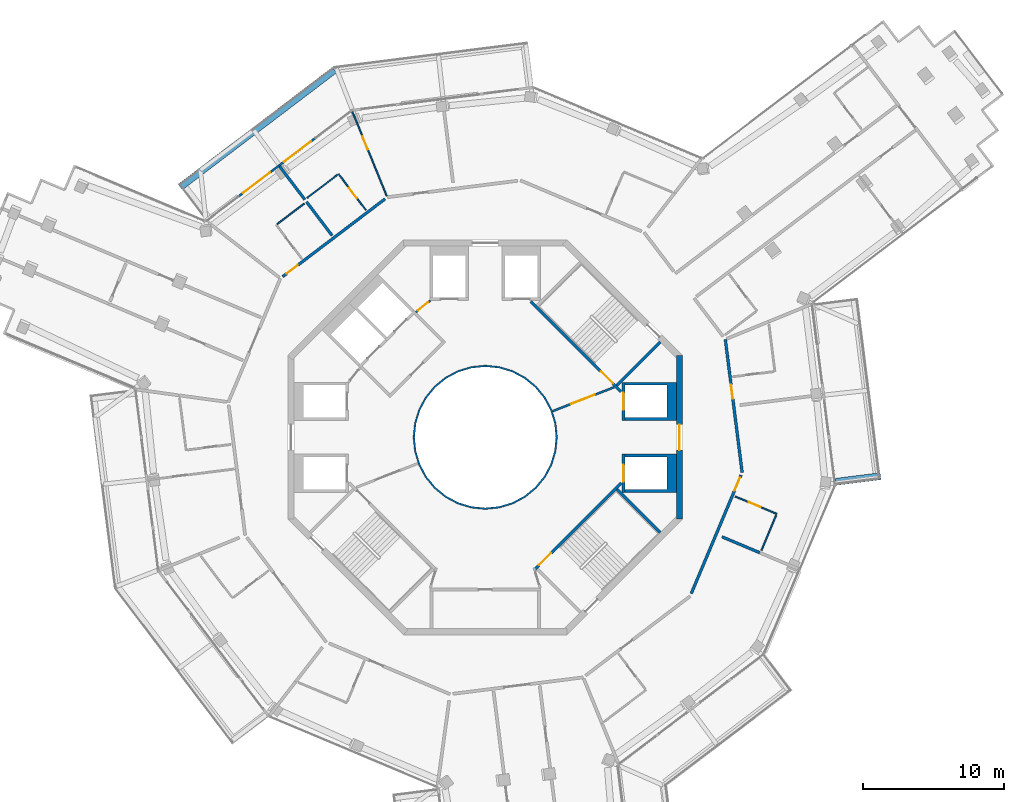
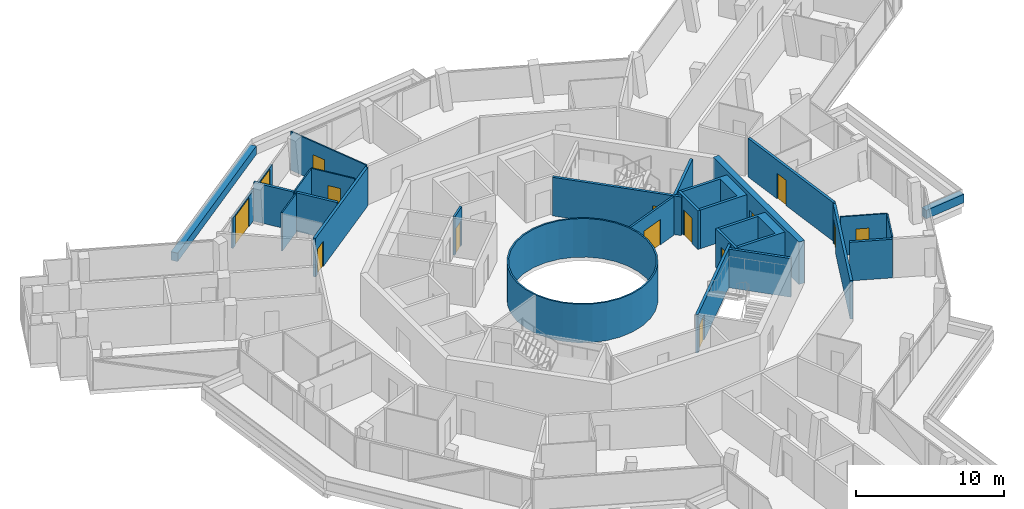
# One storey, part 21 of 26: 28 walls, 15 doors, 15 openings.
"""IFC4 building model written with IfcOpenShell, lengths in metres."""

from ifc_helpers import new_model, si_unit, direction, frame, frame_2d, origin, place, context, subcontext, project, spatial, polyline, rectangle, outline, extrude, material, layer, layer_set, type_object, element, fill, save


model = new_model("IFC4")

# Units and contexts
model_context = context("Model", 3, precision=1e-05, world=origin(), true_north=direction((0.0, 1.0)))
body_context = subcontext(model_context, "Body", "Model", "MODEL_VIEW")
ifc_project = project(units=[si_unit("LENGTHUNIT", "METRE"), si_unit("AREAUNIT", "SQUARE_METRE"), si_unit("VOLUMEUNIT", "CUBIC_METRE"), si_unit("PLANEANGLEUNIT", "RADIAN"), si_unit("MASSUNIT", "GRAM", prefix="KILO")], contexts=[model_context])

# Site, building, storey
site_placement = place(None, origin())
site = spatial("IfcSite", under=ifc_project, at=site_placement, CompositionType="ELEMENT")
building_placement = place(site_placement, origin())
building = spatial("IfcBuilding", under=site, at=building_placement, Name="Verdalira Terraces Hotel", CompositionType="ELEMENT")
storey_placement = place(building_placement, frame((0.0, 0.0, 306.5)))
storey = spatial("IfcBuildingStorey", under=building, at=storey_placement, Name="L76", CompositionType="ELEMENT", Elevation=306.5)

# Walls
ifc_material_1 = material(Name="Fire-resisting glass EI 180", Category="glass")
ifc_layer_1 = layer(ifc_material_1, 0.1201171875)
ifc_layer_set_1 = layer_set([ifc_layer_1], Name="Atrium fire screen 120 mm")
wall_type_1 = type_object("IfcWallType", Name="Atrium fire screen 120 mm", PredefinedType="SOLIDWALL", material=ifc_layer_set_1)
wall_1_placement = place(storey_placement, origin())
element("IfcWall", 1, at=wall_1_placement, inside=storey, type_object=wall_type_1, Name="Atrium fire screen", PredefinedType="SOLIDWALL", context=body_context, shape_type="SweptSolid", body=[
    extrude(outline(polyline([(5.021484, -0.998779), (4.730225, -1.959229), (4.25708, -2.844482), (3.620361, -3.620361), (2.844482, -4.25708), (1.959229, -4.730225), (0.998779, -5.021484), (0.0, -5.120117), (-0.998779, -5.021484), (-1.959229, -4.730225), (-2.844482, -4.25708), (-3.620361, -3.620361), (-4.25708, -2.844482), (-4.730225, -1.959229), (-5.021484, -0.998779), (-5.120117, 0.0), (-5.021484, 0.998779), (-4.730225, 1.959229), (-4.25708, 2.844482), (-3.620361, 3.620361), (-2.844482, 4.25708), (-1.959229, 4.730225), (-0.998779, 5.021484), (0.0, 5.120117), (0.998779, 5.021484), (1.959229, 4.730225), (2.844482, 4.25708), (3.620361, 3.620361), (4.25708, 2.844482), (4.730225, 1.959229), (5.021484, 0.998779), (5.120117, 0.0), (5.021484, -0.998779)]), holes=[polyline([(4.903809, 0.975586), (4.619385, 1.91333), (4.157227, 2.777832), (3.5354, 3.5354), (2.777832, 4.157227), (1.91333, 4.619385), (0.975586, 4.903809), (0.0, 5.0), (-0.975586, 4.903809), (-1.91333, 4.619385), (-2.777832, 4.157227), (-3.5354, 3.5354), (-4.157227, 2.777832), (-4.619385, 1.91333), (-4.903809, 0.975586), (-5.0, 0.0), (-4.903809, -0.975586), (-4.619385, -1.91333), (-4.157227, -2.777832), (-3.5354, -3.5354), (-2.777832, -4.157227), (-1.91333, -4.619385), (-0.975586, -4.903809), (0.0, -5.0), (0.975586, -4.903809), (1.91333, -4.619385), (2.777832, -4.157227), (3.5354, -3.5354), (4.157227, -2.777832), (4.619385, -1.91333), (4.903809, -0.975586), (5.0, 0.0), (4.903809, 0.975586)])]), origin(), (0.0, 0.0, 1.0), 3.189941),
])
ifc_material_2 = material(Name="Concrete C40", Category="concrete")
ifc_layer_2 = layer(ifc_material_2, 0.5)
ifc_layer_set_2 = layer_set([ifc_layer_2], Name="Balcony planter trough with tree")
wall_type_2 = type_object("IfcWallType", Name="Balcony planter trough with tree", PredefinedType="SOLIDWALL", material=ifc_layer_set_2)
wall_2_placement = place(storey_placement, frame((24.851318, -3.160156, 0.0), z_axis=(0.0, 0.0, 1.0), x_axis=(0.992117376, 0.125312056, 0.0)))
element("IfcWall", 2, at=wall_2_placement, inside=storey, type_object=wall_type_2, Name="Balcony planter", PredefinedType="SOLIDWALL", context=body_context, shape_type="SweptSolid", body=[
    extrude(rectangle(XDim=3.198975, YDim=0.5, at=frame_2d((1.599609, 0.0))), origin(), (0.0, 0.0, 1.0), 0.699951),
])
wall_3_placement = place(storey_placement, frame((-10.696533, 26.039551, 0.0), z_axis=(0.0, 0.0, 1.0), x_axis=(-0.796532623, -0.604595551, 0.0)))
element("IfcWall", 3, at=wall_3_placement, inside=storey, type_object=wall_type_2, Name="Balcony planter", PredefinedType="SOLIDWALL", context=body_context, shape_type="SweptSolid", body=[
    extrude(rectangle(XDim=13.723389, YDim=0.5, at=frame_2d((6.861816, 0.0))), origin(), (0.0, 0.0, 1.0), 0.699951),
])
ifc_material_3 = material(Name="Moisture-resistant gypsum board partition")
ifc_layer_3 = layer(ifc_material_3, 0.10009765625)
ifc_layer_set_3 = layer_set([ifc_layer_3], Name="Bathroom partition 100 mm")
wall_type_3 = type_object("IfcWallType", Name="Bathroom partition 100 mm", PredefinedType="PARTITIONING", material=ifc_layer_set_3)
wall_4_placement = place(storey_placement, frame((-14.742432, 15.12207, 0.0), z_axis=(0.0, 0.0, 1.0), x_axis=(0.796544296, 0.604580172, 0.0)))
element("IfcWall", 4, at=wall_4_placement, inside=storey, type_object=wall_type_3, Name="Bathroom partition", PredefinedType="PARTITIONING", context=body_context, shape_type="SweptSolid", body=[
    extrude(rectangle(XDim=2.399902, YDim=0.100098, at=frame_2d((1.199951, 0.0))), origin(), (0.0, 0.0, 1.0), 3.189941),
])
wall_5_placement = place(storey_placement, frame((-10.482422, 18.606689, 0.0), z_axis=(0.0, 0.0, 1.0), x_axis=(-0.79650357, -0.604633826, 0.0)))
element("IfcWall", 5, at=wall_5_placement, inside=storey, type_object=wall_type_3, Name="Bathroom partition", PredefinedType="PARTITIONING", context=body_context, shape_type="SweptSolid", body=[
    extrude(rectangle(XDim=2.700195, YDim=0.100098, at=frame_2d((1.350098, 0.0))), origin(), (0.0, 0.0, 1.0), 3.189941),
])

# Wall, opening, door
wall_6_placement = place(storey_placement, frame((-8.468018, 16.118164, 0.0), z_axis=(0.0, 0.0, 1.0), x_axis=(-0.604580172, 0.796544296, 0.0)))
wall_6 = element("IfcWall", 6, at=wall_6_placement, inside=storey, type_object=wall_type_3, Name="Bathroom partition", PredefinedType="PARTITIONING", context=body_context, shape_type="SweptSolid", body=[
    extrude(rectangle(XDim=3.199951, YDim=0.100098, at=frame_2d((1.600098, 0.0))), origin(), (0.0, 0.0, 1.0), 3.189941),
])
opening_1_placement = place(wall_6_placement, frame((1.050049, 0.0, 0.0)))
opening_1 = element("IfcOpeningElement", 7, at=opening_1_placement, cuts=wall_6, Name="Opening L76-131", PredefinedType="OPENING", context=body_context, shape_type="SweptSolid", body=[
    extrude(rectangle(XDim=0.899902, YDim=2.100098, at=frame_2d((0.449951, 1.050049))), frame((0.0, 0.060059, 0.0), z_axis=(0.0, -1.0, 0.0), x_axis=(1.0, 0.0, 0.0)), (0.0, 0.0, 1.0), 0.120117),
])
ifc_material_4 = material(Name="Timber door", Category="wood")
door_type_1 = type_object("IfcDoorType", Name="Bathroom door 900 x 2100", OperationType="NOTDEFINED", PredefinedType="DOOR", material=ifc_material_4)
door_1_placement = place(opening_1_placement, origin())
door_1 = element("IfcDoor", 8, at=door_1_placement, inside=storey, type_object=door_type_1, Name="Bathroom door 7612", OperationType="SINGLE_SWING_RIGHT", OverallHeight=2.10009765625, OverallWidth=0.89990234375, PredefinedType="DOOR", context=body_context, shape_type="SweptSolid", body=[
    extrude(rectangle(XDim=0.899902, YDim=2.100098, at=frame_2d((0.449951, 1.050049))), frame((0.0, 0.024902, 0.0), z_axis=(0.0, -1.0, 0.0), x_axis=(1.0, 0.0, 0.0)), (0.0, 0.0, 1.0), 0.050049),
])
fill(opening_1, door_1)

wall_7_placement = place(storey_placement, frame((-6.985596, 17.11792, 0.0), z_axis=(0.0, 0.0, 1.0), x_axis=(-0.377842915, 0.925869716, 0.0)))
wall_7 = element("IfcWall", 9, at=wall_7_placement, inside=storey, type_object=wall_type_3, Name="Bathroom partition", PredefinedType="PARTITIONING", context=body_context, shape_type="SweptSolid", body=[
    extrude(rectangle(XDim=6.475586, YDim=0.100098, at=frame_2d((3.237793, 0.0))), origin(), (0.0, 0.0, 1.0), 3.189941),
])
opening_2_placement = place(wall_7_placement, frame((3.550049, 0.0, 0.0)))
opening_2 = element("IfcOpeningElement", 10, at=opening_2_placement, cuts=wall_7, Name="Opening L76-130", PredefinedType="OPENING", context=body_context, shape_type="SweptSolid", body=[
    extrude(rectangle(XDim=1.0, YDim=2.100098, at=frame_2d((0.5, 1.050049))), frame((0.0, 0.060059, 0.0), z_axis=(0.0, -1.0, 0.0), x_axis=(1.0, 0.0, 0.0)), (0.0, 0.0, 1.0), 0.120117),
])
ifc_material_5 = material(Name="Timber door", Category="wood")
door_type_2 = type_object("IfcDoorType", Name="Suite internal door 1000 x 2100", OperationType="NOTDEFINED", PredefinedType="DOOR", material=ifc_material_5)
door_2_placement = place(opening_2_placement, origin())
door_2 = element("IfcDoor", 11, at=door_2_placement, inside=storey, type_object=door_type_2, Name="Suite internal door 7612", OperationType="SINGLE_SWING_LEFT", OverallHeight=2.10009765625, OverallWidth=1.0, PredefinedType="DOOR", context=body_context, shape_type="SweptSolid", body=[
    extrude(rectangle(XDim=1.0, YDim=2.100098, at=frame_2d((0.5, 1.050049))), frame((0.0, 0.024902, 0.0), z_axis=(0.0, -1.0, 0.0), x_axis=(1.0, 0.0, 0.0)), (0.0, 0.0, 1.0), 0.050049),
])
fill(opening_2, door_2)

wall_8_placement = place(storey_placement, frame((20.66748, -5.433594, 0.0), z_axis=(0.0, 0.0, 1.0), x_axis=(-0.92185784, 0.387528221, 0.0)))
wall_8 = element("IfcWall", 12, at=wall_8_placement, inside=storey, type_object=wall_type_3, Name="Bathroom partition", PredefinedType="PARTITIONING", context=body_context, shape_type="SweptSolid", body=[
    extrude(rectangle(XDim=3.199707, YDim=0.100098, at=frame_2d((1.599854, 0.0))), origin(), (0.0, 0.0, 1.0), 3.189941),
])
opening_3_placement = place(wall_8_placement, frame((1.25, 0.0, 0.0)))
opening_3 = element("IfcOpeningElement", 13, at=opening_3_placement, cuts=wall_8, Name="Opening L76-119", PredefinedType="OPENING", context=body_context, shape_type="SweptSolid", body=[
    extrude(rectangle(XDim=0.899902, YDim=2.100098, at=frame_2d((0.449951, 1.050049))), frame((0.0, 0.060059, 0.0), z_axis=(0.0, -1.0, 0.0), x_axis=(1.0, 0.0, 0.0)), (0.0, 0.0, 1.0), 0.120117),
])
door_3_placement = place(opening_3_placement, origin())
door_3 = element("IfcDoor", 14, at=door_3_placement, inside=storey, type_object=door_type_1, Name="Bathroom door 7607", OperationType="SINGLE_SWING_LEFT", OverallHeight=2.10009765625, OverallWidth=0.89990234375, PredefinedType="DOOR", context=body_context, shape_type="SweptSolid", body=[
    extrude(rectangle(XDim=0.899902, YDim=2.100098, at=frame_2d((0.449951, 1.050049))), frame((0.0, 0.024902, 0.0), z_axis=(0.0, -1.0, 0.0), x_axis=(1.0, 0.0, 0.0)), (0.0, 0.0, 1.0), 0.050049),
])
fill(opening_3, door_3)

# Walls
wall_9_placement = place(storey_placement, frame((20.628906, -5.525879, 0.0), z_axis=(0.0, 0.0, 1.0), x_axis=(-0.3875476, -0.921849693, 0.0)))
element("IfcWall", 15, at=wall_9_placement, inside=storey, type_object=wall_type_3, Name="Bathroom partition", PredefinedType="PARTITIONING", context=body_context, shape_type="SweptSolid", body=[
    extrude(rectangle(XDim=2.699951, YDim=0.100098, at=frame_2d((1.350098, 0.0))), origin(), (0.0, 0.0, 1.0), 3.189941),
])
ifc_material_6 = material(Name="Concrete C50", Category="concrete")
ifc_layer_4 = layer(ifc_material_6, 0.199951171875)
ifc_layer_set_4 = layer_set([ifc_layer_4], Name="Core RC wall 200 C50")
wall_type_4 = type_object("IfcWallType", Name="Core RC wall 200 C50", PredefinedType="SOLIDWALL", material=ifc_layer_set_4)
wall_10_placement = place(storey_placement, origin())
element("IfcWall", 16, at=wall_10_placement, inside=storey, type_object=wall_type_4, Name="L76 shaft wall E1", PredefinedType="SOLIDWALL", context=body_context, shape_type="SweptSolid", body=[
    extrude(outline(polyline([(13.550049, -3.899902), (9.899902, -3.899902), (9.899902, -3.699951), (12.899902, -3.699951), (12.899902, -1.399902), (9.899902, -1.399902), (9.899902, -1.199951), (13.550049, -1.199951), (13.550049, -3.899902)])), origin(), (0.0, 0.0, 1.0), 3.189941),
])

# Wall, opening, door
wall_11_placement = place(storey_placement, frame((9.800049, -1.199951, 0.0), z_axis=(0.0, 0.0, 1.0), x_axis=(0.0, -1.0, 0.0)))
wall_11 = element("IfcWall", 17, at=wall_11_placement, inside=storey, type_object=wall_type_4, Name="L76 shaft front wall E1", PredefinedType="SOLIDWALL", context=body_context, shape_type="SweptSolid", body=[
    extrude(rectangle(XDim=2.699951, YDim=0.199951, at=frame_2d((1.350098, 0.0))), origin(), (0.0, 0.0, 1.0), 3.189941),
])
opening_4_placement = place(wall_11_placement, frame((0.75, 0.0, 0.0)))
opening_4 = element("IfcOpeningElement", 18, at=opening_4_placement, cuts=wall_11, Name="Opening LD-L76-802", PredefinedType="OPENING", context=body_context, shape_type="SweptSolid", body=[
    extrude(rectangle(XDim=1.199951, YDim=2.100098, at=frame_2d((0.600098, 1.050049))), frame((0.0, 0.109863, 0.0), z_axis=(0.0, -1.0, 0.0), x_axis=(1.0, 0.0, 0.0)), (0.0, 0.0, 1.0), 0.219971),
])
ifc_material_7 = material(Name="Stainless steel", Category="steel")
door_type_3 = type_object("IfcDoorType", Name="Landing door 1200 x 2100", OperationType="NOTDEFINED", PredefinedType="DOOR", material=ifc_material_7)
door_4_placement = place(opening_4_placement, origin())
door_4 = element("IfcDoor", 19, at=door_4_placement, inside=storey, type_object=door_type_3, Name="Lift landing door HR1 L76", OperationType="DOUBLE_DOOR_SLIDING", OverallHeight=2.10009765625, OverallWidth=1.199951171875, PredefinedType="DOOR", context=body_context, shape_type="SweptSolid", body=[
    extrude(rectangle(XDim=1.199951, YDim=2.100098, at=frame_2d((0.600098, 1.050049))), frame((0.0, 0.024902, 0.0), z_axis=(0.0, -1.0, 0.0), x_axis=(1.0, 0.0, 0.0)), (0.0, 0.0, 1.0), 0.050049),
])
fill(opening_4, door_4)

# Wall
wall_12_placement = place(storey_placement, origin())
element("IfcWall", 20, at=wall_12_placement, inside=storey, type_object=wall_type_4, Name="L76 shaft wall E2", PredefinedType="SOLIDWALL", context=body_context, shape_type="SweptSolid", body=[
    extrude(outline(polyline([(13.550049, 3.899902), (13.550049, 1.199951), (9.899902, 1.199951), (9.899902, 1.399902), (12.899902, 1.399902), (12.899902, 3.699951), (9.899902, 3.699951), (9.899902, 3.899902), (13.550049, 3.899902)])), origin(), (0.0, 0.0, 1.0), 3.189941),
])

# Wall, opening, door
wall_13_placement = place(storey_placement, frame((9.800049, 1.199951, 0.0), z_axis=(0.0, 0.0, 1.0), x_axis=(0.0, 1.0, 0.0)))
wall_13 = element("IfcWall", 21, at=wall_13_placement, inside=storey, type_object=wall_type_4, Name="L76 shaft front wall E2", PredefinedType="SOLIDWALL", context=body_context, shape_type="SweptSolid", body=[
    extrude(rectangle(XDim=2.699951, YDim=0.199951, at=frame_2d((1.350098, 0.0))), origin(), (0.0, 0.0, 1.0), 3.189941),
])
opening_5_placement = place(wall_13_placement, frame((0.75, 0.0, 0.0)))
opening_5 = element("IfcOpeningElement", 22, at=opening_5_placement, cuts=wall_13, Name="Opening LD-L76-803", PredefinedType="OPENING", context=body_context, shape_type="SweptSolid", body=[
    extrude(rectangle(XDim=1.199951, YDim=2.100098, at=frame_2d((0.600098, 1.050049))), frame((0.0, 0.109863, 0.0), z_axis=(0.0, -1.0, 0.0), x_axis=(1.0, 0.0, 0.0)), (0.0, 0.0, 1.0), 0.219971),
])
door_5_placement = place(opening_5_placement, origin())
door_5 = element("IfcDoor", 23, at=door_5_placement, inside=storey, type_object=door_type_3, Name="Lift landing door HR2 L76", OperationType="DOUBLE_DOOR_SLIDING", OverallHeight=2.10009765625, OverallWidth=1.199951171875, PredefinedType="DOOR", context=body_context, shape_type="SweptSolid", body=[
    extrude(rectangle(XDim=1.199951, YDim=2.100098, at=frame_2d((0.600098, 1.050049))), frame((0.0, 0.024902, 0.0), z_axis=(0.0, -1.0, 0.0), x_axis=(1.0, 0.0, 0.0)), (0.0, 0.0, 1.0), 0.050049),
])
fill(opening_5, door_5)

wall_14_placement = place(storey_placement, frame((3.23999, 9.629395, 0.0), z_axis=(0.0, 0.0, 1.0), x_axis=(0.707106781, -0.707106781, 0.0)))
wall_14 = element("IfcWall", 24, at=wall_14_placement, inside=storey, type_object=wall_type_4, Name="L76 stair ST1 front wall", PredefinedType="SOLIDWALL", context=body_context, shape_type="SweptSolid", body=[
    extrude(rectangle(XDim=9.035889, YDim=0.199951, at=frame_2d((4.518066, 0.0))), origin(), (0.0, 0.0, 1.0), 3.189941),
])
opening_6_placement = place(wall_14_placement, frame((7.017822, 0.0, 0.0)))
opening_6 = element("IfcOpeningElement", 25, at=opening_6_placement, cuts=wall_14, Name="Opening L76-810", PredefinedType="OPENING", context=body_context, shape_type="SweptSolid", body=[
    extrude(rectangle(XDim=1.199951, YDim=2.100098, at=frame_2d((0.600098, 1.050049))), frame((0.0, 0.109863, 0.0), z_axis=(0.0, -1.0, 0.0), x_axis=(1.0, 0.0, 0.0)), (0.0, 0.0, 1.0), 0.219971),
])
ifc_material_8 = material(Name="Steel fire door", Category="steel")
door_type_4 = type_object("IfcDoorType", Name="Stair door 1200 x 2100", OperationType="NOTDEFINED", PredefinedType="DOOR", material=ifc_material_8)
door_6_placement = place(opening_6_placement, origin())
door_6 = element("IfcDoor", 26, at=door_6_placement, inside=storey, type_object=door_type_4, Name="Stair door ST1 L76", OperationType="SINGLE_SWING_RIGHT", OverallHeight=2.10009765625, OverallWidth=1.199951171875, PredefinedType="DOOR", context=body_context, shape_type="SweptSolid", body=[
    extrude(rectangle(XDim=1.199951, YDim=2.100098, at=frame_2d((0.600098, 1.050049))), frame((0.0, 0.024902, 0.0), z_axis=(0.0, -1.0, 0.0), x_axis=(1.0, 0.0, 0.0)), (0.0, 0.0, 1.0), 0.050049),
])
fill(opening_6, door_6)

# Wall
wall_15_placement = place(storey_placement, frame((9.33374, 3.677002, 0.0), z_axis=(0.0, 0.0, 1.0), x_axis=(0.707106781, 0.707106781, 0.0)))
element("IfcWall", 27, at=wall_15_placement, inside=storey, type_object=wall_type_4, Name="L76 stair ST1 end wall 1", PredefinedType="SOLIDWALL", context=body_context, shape_type="SweptSolid", body=[
    extrude(rectangle(XDim=4.350098, YDim=0.199951, at=frame_2d((2.175049, 0.0))), origin(), (0.0, 0.0, 1.0), 3.189941),
])

# Wall, opening, door
wall_16_placement = place(storey_placement, frame((9.629395, -3.23999, 0.0), z_axis=(0.0, 0.0, 1.0), x_axis=(-0.707120946, -0.707092617, 0.0)))
wall_16 = element("IfcWall", 28, at=wall_16_placement, inside=storey, type_object=wall_type_4, Name="L76 stair ST3 front wall", PredefinedType="SOLIDWALL", context=body_context, shape_type="SweptSolid", body=[
    extrude(rectangle(XDim=8.61792, YDim=0.199951, at=frame_2d((4.309082, 0.0))), origin(), (0.0, 0.0, 1.0), 3.189941),
])
opening_7_placement = place(wall_16_placement, frame((7.017822, 0.0, 0.0)))
opening_7 = element("IfcOpeningElement", 29, at=opening_7_placement, cuts=wall_16, Name="Opening L76-812", PredefinedType="OPENING", context=body_context, shape_type="SweptSolid", body=[
    extrude(rectangle(XDim=1.199951, YDim=2.100098, at=frame_2d((0.600098, 1.050049))), frame((0.0, 0.109863, 0.0), z_axis=(0.0, -1.0, 0.0), x_axis=(1.0, 0.0, 0.0)), (0.0, 0.0, 1.0), 0.219971),
])
door_7_placement = place(opening_7_placement, origin())
door_7 = element("IfcDoor", 30, at=door_7_placement, inside=storey, type_object=door_type_4, Name="Stair door ST3 L76", OperationType="SINGLE_SWING_RIGHT", OverallHeight=2.10009765625, OverallWidth=1.199951171875, PredefinedType="DOOR", context=body_context, shape_type="SweptSolid", body=[
    extrude(rectangle(XDim=1.199951, YDim=2.100098, at=frame_2d((0.600098, 1.050049))), frame((0.0, 0.024902, 0.0), z_axis=(0.0, -1.0, 0.0), x_axis=(1.0, 0.0, 0.0)), (0.0, 0.0, 1.0), 0.050049),
])
fill(opening_7, door_7)

# Wall
wall_17_placement = place(storey_placement, frame((9.33374, -3.677002, 0.0), z_axis=(0.0, 0.0, 1.0), x_axis=(0.707106781, -0.707106781, 0.0)))
element("IfcWall", 31, at=wall_17_placement, inside=storey, type_object=wall_type_4, Name="L76 stair ST3 end wall 2", PredefinedType="SOLIDWALL", context=body_context, shape_type="SweptSolid", body=[
    extrude(rectangle(XDim=4.350098, YDim=0.199951, at=frame_2d((2.175049, 0.0))), origin(), (0.0, 0.0, 1.0), 3.189941),
])

# Wall, opening, door
ifc_material_9 = material(Name="Gypsum board partition")
ifc_layer_5 = layer(ifc_material_9, 0.14990234375)
ifc_layer_set_5 = layer_set([ifc_layer_5], Name="Core partition 150 mm")
wall_type_5 = type_object("IfcWallType", Name="Core partition 150 mm", PredefinedType="PARTITIONING", material=ifc_layer_set_5)
wall_18_placement = place(storey_placement, frame((-3.899902, 9.699951, 0.0), z_axis=(0.0, 0.0, 1.0), x_axis=(-0.775559878, -0.631274009, 0.0)))
wall_18 = element("IfcWall", 32, at=wall_18_placement, inside=storey, type_object=wall_type_5, Name="Room partition L76", PredefinedType="PARTITIONING", context=body_context, shape_type="SweptSolid", body=[
    extrude(rectangle(XDim=1.307861, YDim=0.149902, at=frame_2d((0.653809, 0.0))), origin(), (0.0, 0.0, 1.0), 3.189941),
])
opening_8_placement = place(wall_18_placement, frame((0.204102, 0.0, 0.0)))
opening_8 = element("IfcOpeningElement", 33, at=opening_8_placement, cuts=wall_18, Name="Opening L76-820", PredefinedType="OPENING", context=body_context, shape_type="SweptSolid", body=[
    extrude(rectangle(XDim=0.899902, YDim=2.100098, at=frame_2d((0.449951, 1.050049))), frame((0.0, 0.084961, 0.0), z_axis=(0.0, -1.0, 0.0), x_axis=(1.0, 0.0, 0.0)), (0.0, 0.0, 1.0), 0.169922),
])
ifc_material_10 = material(Name="Steel fire door", Category="steel")
door_type_5 = type_object("IfcDoorType", Name="Core room door 900 x 2100", OperationType="NOTDEFINED", PredefinedType="DOOR", material=ifc_material_10)
door_8_placement = place(opening_8_placement, origin())
door_8 = element("IfcDoor", 34, at=door_8_placement, inside=storey, type_object=door_type_5, Name="Door L76 room2", OperationType="SINGLE_SWING_LEFT", OverallHeight=2.10009765625, OverallWidth=0.89990234375, PredefinedType="DOOR", context=body_context, shape_type="SweptSolid", body=[
    extrude(rectangle(XDim=0.899902, YDim=2.100098, at=frame_2d((0.449951, 1.050049))), frame((0.0, 0.024902, 0.0), z_axis=(0.0, -1.0, 0.0), x_axis=(1.0, 0.0, 0.0)), (0.0, 0.0, 1.0), 0.050049),
])
fill(opening_8, door_8)

wall_19_placement = place(storey_placement, frame((4.781982, 1.857178, 0.0), z_axis=(0.0, 0.0, 1.0), x_axis=(0.932167228, 0.36202798, 0.0)))
wall_19 = element("IfcWall", 35, at=wall_19_placement, inside=storey, type_object=wall_type_5, Name="Gallery fire partition L76", PredefinedType="PARTITIONING", context=body_context, shape_type="SweptSolid", body=[
    extrude(rectangle(XDim=4.676025, YDim=0.149902, at=frame_2d((2.337891, 0.0))), origin(), (0.0, 0.0, 1.0), 3.189941),
])
opening_9_placement = place(wall_19_placement, frame((1.399902, 0.0, 0.0)))
opening_9 = element("IfcOpeningElement", 36, at=opening_9_placement, cuts=wall_19, Name="Opening L76-824", PredefinedType="OPENING", context=body_context, shape_type="SweptSolid", body=[
    extrude(rectangle(XDim=1.800049, YDim=2.100098, at=frame_2d((0.899902, 1.050049))), frame((0.0, 0.084961, 0.0), z_axis=(0.0, -1.0, 0.0), x_axis=(1.0, 0.0, 0.0)), (0.0, 0.0, 1.0), 0.169922),
])
ifc_material_11 = material(Name="Steel fire door", Category="steel")
door_type_6 = type_object("IfcDoorType", Name="Gallery fire door pair 1800 x 2100", OperationType="NOTDEFINED", PredefinedType="DOOR", material=ifc_material_11)
door_9_placement = place(opening_9_placement, origin())
door_9 = element("IfcDoor", 37, at=door_9_placement, inside=storey, type_object=door_type_6, Name="Door L76 split0", OperationType="DOUBLE_DOOR_SINGLE_SWING", OverallHeight=2.10009765625, OverallWidth=1.800048828125, PredefinedType="DOOR", context=body_context, shape_type="SweptSolid", body=[
    extrude(rectangle(XDim=1.800049, YDim=2.100098, at=frame_2d((0.899902, 1.050049))), frame((0.0, 0.024902, 0.0), z_axis=(0.0, -1.0, 0.0), x_axis=(1.0, 0.0, 0.0)), (0.0, 0.0, 1.0), 0.050049),
])
fill(opening_9, door_9)

ifc_material_12 = material(Name="Concrete C50", Category="concrete")
ifc_layer_6 = layer(ifc_material_12, 0.449951171875)
ifc_layer_set_6 = layer_set([ifc_layer_6], Name="Core wall 450 C50")
wall_type_6 = type_object("IfcWallType", Name="Core wall 450 C50", PredefinedType="SHEAR", material=ifc_layer_set_6)
wall_20_placement = place(storey_placement, frame((13.774902, -5.799072, 0.0), z_axis=(0.0, 0.0, 1.0), x_axis=(0.0, 1.0, 0.0)))
wall_20 = element("IfcWall", 38, at=wall_20_placement, inside=storey, type_object=wall_type_6, Name="Core wall CW-L76-1", PredefinedType="SHEAR", context=body_context, shape_type="SweptSolid", body=[
    extrude(rectangle(XDim=11.598145, YDim=0.449951, at=frame_2d((5.799072, 0.0))), origin(), (0.0, 0.0, 1.0), 3.5),
])
opening_10_placement = place(wall_20_placement, frame((4.898926, 0.0, 0.0)))
opening_10 = element("IfcOpeningElement", 39, at=opening_10_placement, cuts=wall_20, Name="Opening L76-813", PredefinedType="OPENING", context=body_context, shape_type="SweptSolid", body=[
    extrude(rectangle(XDim=1.800049, YDim=2.100098, at=frame_2d((0.899902, 1.050049))), frame((0.0, 0.234863, 0.0), z_axis=(0.0, -1.0, 0.0), x_axis=(1.0, 0.0, 0.0)), (0.0, 0.0, 1.0), 0.469971),
])
ifc_material_13 = material(Name="Steel fire door", Category="steel")
door_type_7 = type_object("IfcDoorType", Name="Core entry door pair 1800 x 2100", OperationType="NOTDEFINED", PredefinedType="DOOR", material=ifc_material_13)
door_10_placement = place(opening_10_placement, origin())
door_10 = element("IfcDoor", 40, at=door_10_placement, inside=storey, type_object=door_type_7, Name="Core entry door L76 0", OperationType="DOUBLE_DOOR_SINGLE_SWING", OverallHeight=2.10009765625, OverallWidth=1.800048828125, PredefinedType="DOOR", context=body_context, shape_type="SweptSolid", body=[
    extrude(rectangle(XDim=1.800049, YDim=2.100098, at=frame_2d((0.899902, 1.050049))), frame((0.0, 0.024902, 0.0), z_axis=(0.0, -1.0, 0.0), x_axis=(1.0, 0.0, 0.0)), (0.0, 0.0, 1.0), 0.050049),
])
fill(opening_10, door_10)

# Walls
ifc_material_14 = material(Name="Fire-rated gypsum board wall")
ifc_layer_7 = layer(ifc_material_14, 0.199951171875)
ifc_layer_set_7 = layer_set([ifc_layer_7], Name="Demising wall 200 mm")
wall_type_7 = type_object("IfcWallType", Name="Demising wall 200 mm", PredefinedType="SOLIDWALL", material=ifc_layer_set_7)
wall_21_placement = place(storey_placement, frame((-12.792236, 16.853271, 0.0), z_axis=(0.0, 0.0, 1.0), x_axis=(-0.604650908, 0.796490602, 0.0)))
element("IfcWall", 41, at=wall_21_placement, inside=storey, type_object=wall_type_7, Name="Demising wall", PredefinedType="SOLIDWALL", context=body_context, shape_type="SweptSolid", body=[
    extrude(rectangle(XDim=2.949951, YDim=0.199951, at=frame_2d((1.475098, 0.0))), origin(), (0.0, 0.0, 1.0), 3.189941),
])
wall_22_placement = place(storey_placement, frame((-10.857666, 14.304199, 0.0), z_axis=(0.0, 0.0, 1.0), x_axis=(-0.604557338, 0.796561626, 0.0)))
element("IfcWall", 42, at=wall_22_placement, inside=storey, type_object=wall_type_7, Name="Demising wall", PredefinedType="SOLIDWALL", context=body_context, shape_type="SweptSolid", body=[
    extrude(rectangle(XDim=3.002197, YDim=0.199951, at=frame_2d((1.500977, 0.0))), origin(), (0.0, 0.0, 1.0), 3.189941),
])
wall_23_placement = place(storey_placement, frame((16.783203, -7.054932, 0.0), z_axis=(0.0, 0.0, 1.0), x_axis=(0.921836194, -0.387579711, 0.0)))
element("IfcWall", 43, at=wall_23_placement, inside=storey, type_object=wall_type_7, Name="Demising wall", PredefinedType="SOLIDWALL", context=body_context, shape_type="SweptSolid", body=[
    extrude(rectangle(XDim=2.904541, YDim=0.199951, at=frame_2d((1.452148, 0.0))), origin(), (0.0, 0.0, 1.0), 3.189941),
])

# Wall, opening, door
ifc_material_15 = material(Name="Fire-rated gypsum board wall")
ifc_layer_8 = layer(ifc_material_15, 0.199951171875)
ifc_layer_set_8 = layer_set([ifc_layer_8], Name="Guest corridor wall 200 mm")
wall_type_8 = type_object("IfcWallType", Name="Guest corridor wall 200 mm", PredefinedType="SOLIDWALL", material=ifc_layer_set_8)
wall_24_placement = place(storey_placement, frame((-14.367432, 11.38916, 0.0), z_axis=(0.0, 0.0, 1.0), x_axis=(0.796541845, 0.604583401, 0.0)))
wall_24 = element("IfcWall", 44, at=wall_24_placement, inside=storey, type_object=wall_type_8, Name="Guest corridor wall", PredefinedType="SOLIDWALL", context=body_context, shape_type="SweptSolid", body=[
    extrude(rectangle(XDim=9.116455, YDim=0.199951, at=frame_2d((4.558105, 0.0))), origin(), (0.0, 0.0, 1.0), 3.189941),
])
opening_11_placement = place(wall_24_placement, frame((0.350098, 0.0, 0.0)))
opening_11 = element("IfcOpeningElement", 45, at=opening_11_placement, cuts=wall_24, Name="Opening L76-132", PredefinedType="OPENING", context=body_context, shape_type="SweptSolid", body=[
    extrude(rectangle(XDim=1.0, YDim=2.100098, at=frame_2d((0.5, 1.050049))), frame((0.0, 0.109863, 0.0), z_axis=(0.0, -1.0, 0.0), x_axis=(1.0, 0.0, 0.0)), (0.0, 0.0, 1.0), 0.219971),
])
ifc_material_16 = material(Name="Timber fire door", Category="wood")
door_type_8 = type_object("IfcDoorType", Name="Guest entry door 1000 x 2100", OperationType="NOTDEFINED", PredefinedType="DOOR", material=ifc_material_16)
door_11_placement = place(opening_11_placement, origin())
door_11 = element("IfcDoor", 46, at=door_11_placement, inside=storey, type_object=door_type_8, Name="Guest entry door 7613", OperationType="SINGLE_SWING_LEFT", OverallHeight=2.10009765625, OverallWidth=1.0, PredefinedType="DOOR", context=body_context, shape_type="SweptSolid", body=[
    extrude(rectangle(XDim=1.0, YDim=2.100098, at=frame_2d((0.5, 1.050049))), frame((0.0, 0.024902, 0.0), z_axis=(0.0, -1.0, 0.0), x_axis=(1.0, 0.0, 0.0)), (0.0, 0.0, 1.0), 0.050049),
])
fill(opening_11, door_11)

wall_25_placement = place(storey_placement, frame((18.136963, -2.679932, 0.0), z_axis=(0.0, 0.0, 1.0), x_axis=(-0.387519326, -0.92186158, 0.0)))
wall_25 = element("IfcWall", 47, at=wall_25_placement, inside=storey, type_object=wall_type_8, Name="Guest corridor wall", PredefinedType="SOLIDWALL", context=body_context, shape_type="SweptSolid", body=[
    extrude(rectangle(XDim=9.115479, YDim=0.199951, at=frame_2d((4.557617, 0.0))), origin(), (0.0, 0.0, 1.0), 3.189941),
])
opening_12_placement = place(wall_25_placement, frame((0.199951, 0.0, 0.0)))
opening_12 = element("IfcOpeningElement", 48, at=opening_12_placement, cuts=wall_25, Name="Opening L76-118", PredefinedType="OPENING", context=body_context, shape_type="SweptSolid", body=[
    extrude(rectangle(XDim=1.0, YDim=2.100098, at=frame_2d((0.5, 1.050049))), frame((0.0, 0.109863, 0.0), z_axis=(0.0, -1.0, 0.0), x_axis=(1.0, 0.0, 0.0)), (0.0, 0.0, 1.0), 0.219971),
])
door_12_placement = place(opening_12_placement, origin())
door_12 = element("IfcDoor", 49, at=door_12_placement, inside=storey, type_object=door_type_8, Name="Guest entry door 7607", OperationType="SINGLE_SWING_LEFT", OverallHeight=2.10009765625, OverallWidth=1.0, PredefinedType="DOOR", context=body_context, shape_type="SweptSolid", body=[
    extrude(rectangle(XDim=1.0, YDim=2.100098, at=frame_2d((0.5, 1.050049))), frame((0.0, 0.024902, 0.0), z_axis=(0.0, -1.0, 0.0), x_axis=(1.0, 0.0, 0.0)), (0.0, 0.0, 1.0), 0.050049),
])
fill(opening_12, door_12)

wall_26_placement = place(storey_placement, frame((17.021973, 6.946533, 0.0), z_axis=(0.0, 0.0, 1.0), x_axis=(0.125326077, -0.992115605, 0.0)))
wall_26 = element("IfcWall", 50, at=wall_26_placement, inside=storey, type_object=wall_type_8, Name="Guest corridor wall", PredefinedType="SOLIDWALL", context=body_context, shape_type="SweptSolid", body=[
    extrude(rectangle(XDim=9.516113, YDim=0.199951, at=frame_2d((4.758057, 0.0))), origin(), (0.0, 0.0, 1.0), 3.189941),
])
opening_13_placement = place(wall_26_placement, frame((3.25, 0.0, 0.0)))
opening_13 = element("IfcOpeningElement", 51, at=opening_13_placement, cuts=wall_26, Name="Opening L76-120", PredefinedType="OPENING", context=body_context, shape_type="SweptSolid", body=[
    extrude(rectangle(XDim=1.0, YDim=2.100098, at=frame_2d((0.5, 1.050049))), frame((0.0, 0.109863, 0.0), z_axis=(0.0, -1.0, 0.0), x_axis=(1.0, 0.0, 0.0)), (0.0, 0.0, 1.0), 0.219971),
])
door_13_placement = place(opening_13_placement, origin())
door_13 = element("IfcDoor", 52, at=door_13_placement, inside=storey, type_object=door_type_8, Name="Guest entry door 7608", OperationType="SINGLE_SWING_RIGHT", OverallHeight=2.10009765625, OverallWidth=1.0, PredefinedType="DOOR", context=body_context, shape_type="SweptSolid", body=[
    extrude(rectangle(XDim=1.0, YDim=2.100098, at=frame_2d((0.5, 1.050049))), frame((0.0, 0.024902, 0.0), z_axis=(0.0, -1.0, 0.0), x_axis=(1.0, 0.0, 0.0)), (0.0, 0.0, 1.0), 0.050049),
])
fill(opening_13, door_13)

ifc_material_17 = material(Name="Terracotta cladding", Category="masonry")
ifc_layer_9 = layer(ifc_material_17, 0.14990234375)
ifc_layer_set_9 = layer_set([ifc_layer_9], Name="Terracotta door pier 150")
wall_type_9 = type_object("IfcWallType", Name="Terracotta door pier 150", PredefinedType="SOLIDWALL", material=ifc_layer_set_9)
wall_27_placement = place(storey_placement, frame((-12.032471, 21.227783, 0.0), z_axis=(0.0, 0.0, 1.0), x_axis=(-0.796525363, -0.604605116, 0.0)))
wall_27 = element("IfcWall", 53, at=wall_27_placement, inside=storey, type_object=wall_type_9, Name="Terracotta door pier", PredefinedType="SOLIDWALL", context=body_context, shape_type="SweptSolid", body=[
    extrude(rectangle(XDim=3.250244, YDim=0.149902, at=frame_2d((1.625, 0.0))), origin(), (0.0, 0.0, 1.0), 2.524902),
])
opening_14_placement = place(wall_27_placement, frame((0.399902, 0.0, 0.0)))
opening_14 = element("IfcOpeningElement", 54, at=opening_14_placement, cuts=wall_27, Name="Opening L76-B14", PredefinedType="OPENING", context=body_context, shape_type="SweptSolid", body=[
    extrude(rectangle(XDim=2.399902, YDim=2.399902, at=frame_2d((1.199951, 1.199951))), frame((0.0, 0.084961, 0.0), z_axis=(0.0, -1.0, 0.0), x_axis=(1.0, 0.0, 0.0)), (0.0, 0.0, 1.0), 0.169922),
])
ifc_material_18 = material(Name="Clear glass", Category="glass")
door_type_9 = type_object("IfcDoorType", Name="Balcony sliding door 2400x2400", OperationType="NOTDEFINED", PredefinedType="DOOR", material=ifc_material_18)
door_14_placement = place(opening_14_placement, origin())
door_14 = element("IfcDoor", 55, at=door_14_placement, inside=storey, type_object=door_type_9, Name="Balcony sliding door", OperationType="SLIDING_TO_RIGHT", OverallHeight=2.39990234375, OverallWidth=2.39990234375, PredefinedType="DOOR", context=body_context, shape_type="SweptSolid", body=[
    extrude(rectangle(XDim=2.399902, YDim=2.399902, at=frame_2d((1.199951, 1.199951))), frame((0.0, 0.024902, 0.0), z_axis=(0.0, -1.0, 0.0), x_axis=(1.0, 0.0, 0.0)), (0.0, 0.0, 1.0), 0.050049),
])
fill(opening_14, door_14)

wall_28_placement = place(storey_placement, frame((-14.621338, 19.262695, 0.0), z_axis=(0.0, 0.0, 1.0), x_axis=(-0.796530724, -0.604598053, 0.0)))
wall_28 = element("IfcWall", 56, at=wall_28_placement, inside=storey, type_object=wall_type_9, Name="Terracotta door pier", PredefinedType="SOLIDWALL", context=body_context, shape_type="SweptSolid", body=[
    extrude(rectangle(XDim=3.611328, YDim=0.149902, at=frame_2d((1.805664, 0.0))), origin(), (0.0, 0.0, 1.0), 2.524902),
])
opening_15_placement = place(wall_28_placement, frame((0.811279, 0.0, 0.0)))
opening_15 = element("IfcOpeningElement", 57, at=opening_15_placement, cuts=wall_28, Name="Opening L76-B15", PredefinedType="OPENING", context=body_context, shape_type="SweptSolid", body=[
    extrude(rectangle(XDim=2.399902, YDim=2.399902, at=frame_2d((1.199951, 1.199951))), frame((0.0, 0.084961, 0.0), z_axis=(0.0, -1.0, 0.0), x_axis=(1.0, 0.0, 0.0)), (0.0, 0.0, 1.0), 0.169922),
])
door_15_placement = place(opening_15_placement, origin())
door_15 = element("IfcDoor", 58, at=door_15_placement, inside=storey, type_object=door_type_9, Name="Balcony sliding door", OperationType="SLIDING_TO_LEFT", OverallHeight=2.39990234375, OverallWidth=2.39990234375, PredefinedType="DOOR", context=body_context, shape_type="SweptSolid", body=[
    extrude(rectangle(XDim=2.399902, YDim=2.399902, at=frame_2d((1.199951, 1.199951))), frame((0.0, 0.024902, 0.0), z_axis=(0.0, -1.0, 0.0), x_axis=(1.0, 0.0, 0.0)), (0.0, 0.0, 1.0), 0.050049),
])
fill(opening_15, door_15)

save(model, "model.ifc")
